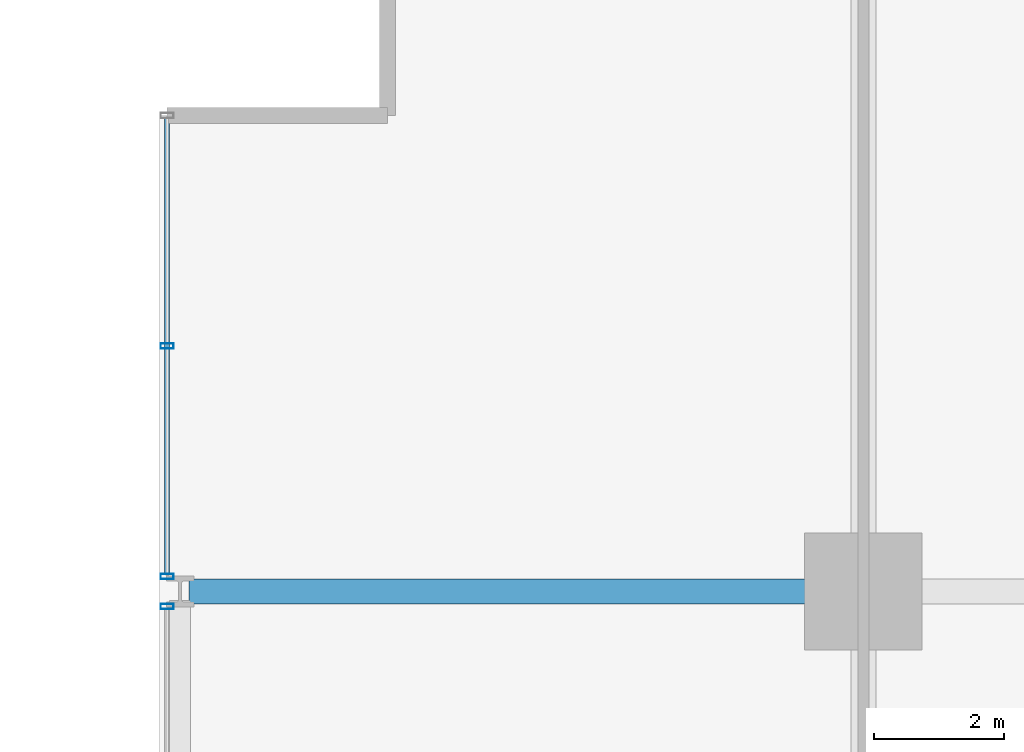
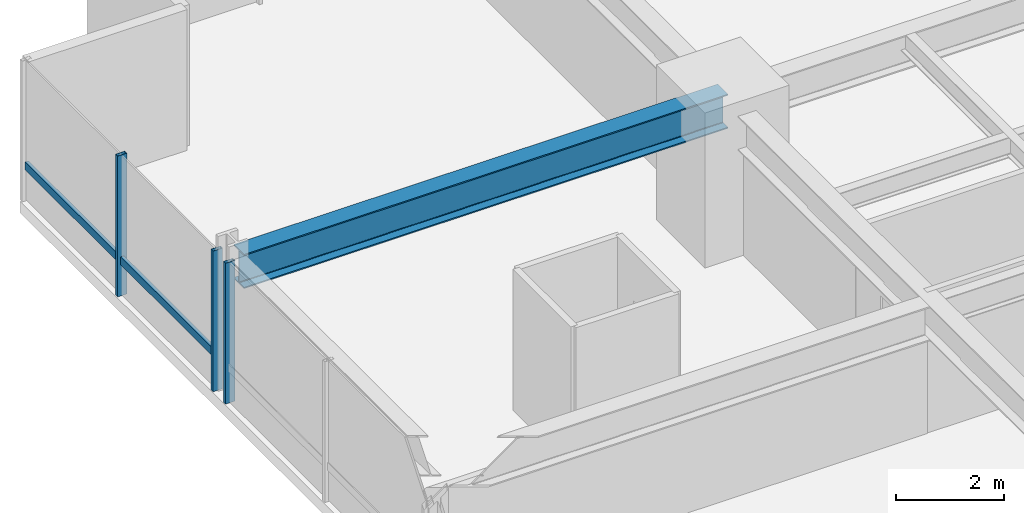
# One storey, part 19 of 37: 4 members, 1 beam, 2 elements without a shape of their own.
"""IFC4 building model written with IfcOpenShell, lengths in metres."""

import ifcopenshell
import ifcopenshell.guid

model = None  # the IFC model being written
_history = None  # IfcOwnerHistory: only IFC2X3 demands one
_inside = {}  # id of a spatial element -> (the spatial element, [elements in it])
_under = {}  # id of a project, library or spatial element -> (it, [spatial elements below it])
_declared = {}  # id of a project -> (the project, [libraries it declares])
_typed = {}  # id of a type object -> (the type object, [elements of that type])
_made_of = {}  # id of a material, layer set ... -> (it, [elements and type objects made of it])


def new_model(schema):
    """Start an empty IFC model of exactly this schema.

    Asked for "IFC4X3", IfcOpenShell would pick the latest addendum, in which some entities
    have other attributes; the version numbers below select the first issue.
    IFC2X3 requires an IfcOwnerHistory on every rooted entity: one is made here for all.
    """
    global model, _history
    if schema == "IFC4X3":
        model = ifcopenshell.file(schema_version=(4, 3, 0, 0))
    else:
        model = ifcopenshell.file(schema=schema)
    _inside.clear()
    _under.clear()
    _declared.clear()
    _typed.clear()
    _made_of.clear()
    _history = None
    if model.schema == "IFC2X3":
        org = make("IfcOrganization", Name="unknown")
        user = make(
            "IfcPersonAndOrganization",
            ThePerson=make("IfcPerson", FamilyName="unknown"),
            TheOrganization=org,
        )
        app = make(
            "IfcApplication",
            ApplicationDeveloper=org,
            Version="unknown",
            ApplicationFullName="unknown",
            ApplicationIdentifier="unknown",
        )
        _history = make(
            "IfcOwnerHistory",
            OwningUser=user,
            OwningApplication=app,
            ChangeAction="ADDED",
            CreationDate=0,
        )
    return model


def make(cls, **values):
    """One entity of the class cls with the attributes given. An attribute that is None is left unset."""
    return model.create_entity(
        cls, **{name: value for name, value in values.items() if value is not None}
    )


def rooted(cls, **values):
    """An entity with a GlobalId (a new one), such as an element, a storey or a relation."""
    return make(cls, GlobalId=ifcopenshell.guid.new(), OwnerHistory=_history, **values)


def si_unit(unit_type, name, prefix=None):
    """IfcSIUnit, for example si_unit("LENGTHUNIT", "METRE", prefix="MILLI")."""
    return make("IfcSIUnit", UnitType=unit_type, Prefix=prefix, Name=name)


def assignment(units):
    """IfcUnitAssignment: the units of a project."""
    return None if units is None else make("IfcUnitAssignment", Units=units)


def point(xyz):
    """IfcCartesianPoint."""
    return None if xyz is None else make("IfcCartesianPoint", Coordinates=xyz)


def direction(xyz):
    """IfcDirection."""
    return None if xyz is None else make("IfcDirection", DirectionRatios=xyz)


def frame(location, z_axis=None, x_axis=None):
    """IfcAxis2Placement3D, a coordinate frame: its origin and axes. An axis left out is left unset."""
    return make(
        "IfcAxis2Placement3D",
        Location=point(location),
        Axis=direction(z_axis),
        RefDirection=direction(x_axis),
    )


def frame_2d(location, x_axis=None):
    """IfcAxis2Placement2D, a coordinate frame in the plane: its origin and x axis."""
    return make(
        "IfcAxis2Placement2D", Location=point(location), RefDirection=direction(x_axis)
    )


def origin():
    """The frame at (0, 0, 0) with its axes left unset."""
    return frame((0.0, 0.0, 0.0))


def origin_2d():
    """The frame at (0, 0) in the plane with its x axis left unset."""
    return frame_2d((0.0, 0.0))


def place(relative_to, where):
    """IfcLocalPlacement: puts the frame where relative to a parent placement (None: the world)."""
    return make(
        "IfcLocalPlacement", PlacementRelTo=relative_to, RelativePlacement=where
    )


def context(
    kind, dimensions, precision=None, world=None, true_north=None, identifier=None
):
    """IfcGeometricRepresentationContext, for example the 3D "Model" context."""
    return make(
        "IfcGeometricRepresentationContext",
        ContextIdentifier=identifier,
        ContextType=kind,
        CoordinateSpaceDimension=dimensions,
        Precision=precision,
        WorldCoordinateSystem=world,
        TrueNorth=true_north,
    )


def subcontext(parent, identifier, kind, view, scale=None):
    """IfcGeometricRepresentationSubContext, for example "Body" below "Model"."""
    return make(
        "IfcGeometricRepresentationSubContext",
        ContextIdentifier=identifier,
        ContextType=kind,
        ParentContext=parent,
        TargetScale=scale,
        TargetView=view,
    )


def project(units=None, contexts=None):
    """IfcProject with its units and contexts."""
    return rooted(
        "IfcProject",
        Name="project",
        RepresentationContexts=contexts,
        UnitsInContext=assignment(units),
    )


def spatial(cls, under=None, at=None, **own):
    """A site, building, storey or space (cls), placed at a placement, below another one or the project."""
    s = rooted(cls, ObjectPlacement=at, **own)
    if under is not None:
        _under.setdefault(under.id(), (under, []))[1].append(s)
    return s


def profile(cls, at=None, kind="AREA", **sizes):
    """A parametric profile (cls). Its sizes go by their IFC names, for example OverallWidth=200.0."""
    return make(cls, ProfileType=kind, Position=at, **sizes)


def hollow_rectangle(**sizes):
    """IfcRectangleHollowProfileDef."""
    return profile("IfcRectangleHollowProfileDef", **sizes)


def i_section(**sizes):
    """IfcIShapeProfileDef."""
    return profile("IfcIShapeProfileDef", **sizes)


def extrude(swept, where, along, depth):
    """IfcExtrudedAreaSolid: the profile swept, set in the frame where, extruded along a direction by depth."""
    return make(
        "IfcExtrudedAreaSolid",
        SweptArea=swept,
        Position=where,
        ExtrudedDirection=direction(along),
        Depth=depth,
    )


def shape(context_of_items, identifier, shape_type, items):
    """IfcShapeRepresentation: the items that make up one representation, for example the "Body"."""
    return make(
        "IfcShapeRepresentation",
        ContextOfItems=context_of_items,
        RepresentationIdentifier=identifier,
        RepresentationType=shape_type,
        Items=items,
    )


def material(Name=None, Category=None):
    """IfcMaterial."""
    return make("IfcMaterial", Name=Name, Category=Category)


def layer(
    of_material, thickness, ventilated=None, Name=None, Category=None, Priority=None
):
    """IfcMaterialLayer: one layer of a wall or slab, of a material (None: an air gap)."""
    return make(
        "IfcMaterialLayer",
        Material=of_material,
        LayerThickness=thickness,
        IsVentilated=ventilated,
        Name=Name,
        Category=Category,
        Priority=Priority,
    )


def layer_set(layers, Name=None):
    """IfcMaterialLayerSet."""
    return make("IfcMaterialLayerSet", MaterialLayers=layers, LayerSetName=Name)


def material_profile(
    of_material, cross_section, Name=None, Category=None, Priority=None
):
    """IfcMaterialProfile: a cross section and its material."""
    return make(
        "IfcMaterialProfile",
        Name=Name,
        Material=of_material,
        Profile=cross_section,
        Priority=Priority,
        Category=Category,
    )


def profile_set(profiles, Name=None, composite=None):
    """IfcMaterialProfileSet."""
    return make(
        "IfcMaterialProfileSet",
        Name=Name,
        MaterialProfiles=profiles,
        CompositeProfile=composite,
    )


def made_of(thing, what):
    """Note that an element or type object is made of a material, layer set ...; save() writes the relation."""
    if what is not None:
        _made_of.setdefault(what.id(), (what, []))[1].append(thing)
    return thing


def type_object(cls, material=None, **own):
    """A type object (cls), such as IfcWallType, which elements share."""
    return made_of(rooted(cls, **own), material)


def element(
    cls,
    number,
    at=None,
    inside=None,
    cuts=None,
    type_object=None,
    material=None,
    context=None,
    identifier="Body",
    shape_type=None,
    held_by="IfcProductDefinitionShape",
    body=None,
    shapes=None,
    **own,
):
    """One element of the class cls, such as IfcWall. Its Tag is "e" and its number.

    at: its placement. inside: the storey or other place that contains it. cuts: it is an
    opening in that element (IfcRelVoidsElement). A single representation is given by context,
    identifier, shape_type and body (its items); several are given by shapes. held_by: the class
    of the entity that holds the representations. save() writes the other relations.
    """
    e = rooted(cls, Tag="e%d" % number, ObjectPlacement=at, **own)
    if body is not None:
        shapes = [shape(context, identifier, shape_type, body)]
    if shapes is not None:
        e.Representation = make(held_by, Representations=shapes)
    if inside is not None:
        _inside.setdefault(inside.id(), (inside, []))[1].append(e)
    if cuts is not None:
        rooted(
            "IfcRelVoidsElement", RelatingBuildingElement=cuts, RelatedOpeningElement=e
        )
    if type_object is not None:
        _typed.setdefault(type_object.id(), (type_object, []))[1].append(e)
    return made_of(e, material)


def aggregate(whole, parts):
    """IfcRelAggregates: a whole, such as a stair, and the parts it consists of."""
    return rooted("IfcRelAggregates", RelatingObject=whole, RelatedObjects=parts)


def save(model, path):
    """Write the relations noted so far, then the file.

    IfcRelAggregates (storeys below a building ...), IfcRelContainedInSpatialStructure (elements
    in a storey), IfcRelDefinesByType, IfcRelAssociatesMaterial and IfcRelDeclares: one each for
    every whole, place, type object, material and project.
    """
    for whole, parts in _under.values():
        aggregate(whole, parts)
    for where, things in _inside.values():
        rooted(
            "IfcRelContainedInSpatialStructure",
            RelatedElements=things,
            RelatingStructure=where,
        )
    for kind, things in _typed.values():
        rooted("IfcRelDefinesByType", RelatedObjects=things, RelatingType=kind)
    for what, things in _made_of.values():
        rooted("IfcRelAssociatesMaterial", RelatedObjects=things, RelatingMaterial=what)
    for by, libraries in _declared.values():
        rooted("IfcRelDeclares", RelatingContext=by, RelatedDefinitions=libraries)
    model.write(path)


model = new_model("IFC4")

# Units and contexts
model_context = context("Model", 3, precision=1e-05, world=origin(), true_north=direction((0.0, 1.0)))
body_context = subcontext(model_context, "Body", "Model", "MODEL_VIEW")
ifc_project = project(units=[si_unit("LENGTHUNIT", "METRE"), si_unit("AREAUNIT", "SQUARE_METRE"), si_unit("VOLUMEUNIT", "CUBIC_METRE"), si_unit("PLANEANGLEUNIT", "RADIAN"), si_unit("MASSUNIT", "GRAM", prefix="KILO")], contexts=[model_context])

# Site, building, storey
site_placement = place(None, origin())
site = spatial("IfcSite", under=ifc_project, at=site_placement, CompositionType="ELEMENT")
building_placement = place(site_placement, origin())
building = spatial("IfcBuilding", under=site, at=building_placement, Name="Drelvath Grand Hotel", CompositionType="ELEMENT")
storey_placement = place(building_placement, frame((0.0, 0.0, 78.699951171875)))
storey = spatial("IfcBuildingStorey", under=building, at=storey_placement, Name="L19", CompositionType="ELEMENT", Elevation=78.699951171875)

# Curtain wall, member
ifc_material_1 = material(Name="Warm Bronze Anodised Aluminium Frame", Category="aluminium")
ifc_layer = layer(ifc_material_1, 0.199951171875)
ifc_layer_set = layer_set([ifc_layer], Name="Warm Bronze Anodised Aluminium Frame")
curtain_wall_type = type_object("IfcCurtainWallType", Name="Stick Curtain Wall CW-02 Warm Bronze Low-Rise", PredefinedType="NOTDEFINED", material=ifc_layer_set)
curtain_wall_1_placement = place(storey_placement, origin())
curtain_wall_1 = element("IfcCurtainWall", 1, at=curtain_wall_1_placement, inside=storey, type_object=curtain_wall_type, Name="L19 CW-02 Curtain Wall CW02-L19-WN3", PredefinedType="NOTDEFINED")
ifc_material_profile_1 = material_profile(ifc_material_1, hollow_rectangle(XDim=0.074951171875, YDim=0.179931640625, WallThickness=0.0048828125, at=origin_2d()), Name="HSS180X75X5")
ifc_profile_set_1 = profile_set([ifc_material_profile_1], Name="Warm Bronze Anodised Aluminium Frame")
member_type_1 = type_object("IfcMemberType", Name="Curtain Wall Horizontal Transom CW-02 HSS180X75X5", PredefinedType="USERDEFINED", material=ifc_profile_set_1)
member_1_placement = place(storey_placement, frame((-26.8798828125, 43.468994140625, 0.795166015625), z_axis=(0.0, 1.0, 0.0), x_axis=(-1.0, 0.0, 0.0)))
member_1 = element("IfcMember", 2, at=member_1_placement, type_object=member_type_1, Name="CW02-L19-WN3 Sill Transom", ObjectType="TRANSOM", PredefinedType="USERDEFINED", context=body_context, shape_type="SweptSolid", body=[
    extrude(hollow_rectangle(XDim=0.074951171875, YDim=0.179931640625, WallThickness=0.0048828125, at=origin_2d()), origin(), (0.0, 0.0, 1.0), 6.990966796875),
])

curtain_wall_2_placement = place(storey_placement, origin())
curtain_wall_2 = element("IfcCurtainWall", 3, at=curtain_wall_2_placement, inside=storey, type_object=curtain_wall_type, Name="L19 CW-02 Curtain Wall CW02-L19-WN2", PredefinedType="NOTDEFINED")
ifc_material_profile_2 = material_profile(ifc_material_1, hollow_rectangle(XDim=0.080078125, YDim=0.199951171875, WallThickness=0.0048828125, at=origin_2d()), Name="HSS200X80X5")
ifc_profile_set_2 = profile_set([ifc_material_profile_2], Name="Warm Bronze Anodised Aluminium Frame")
member_type_2 = type_object("IfcMemberType", Name="Curtain Wall Vertical Mullion CW-02 HSS200X80X5", PredefinedType="MULLION", material=ifc_profile_set_2)
member_2_placement = place(storey_placement, frame((-26.8798828125, 42.970947265625, 0.0), z_axis=(0.0, 0.0, 1.0), x_axis=(0.0, 1.0, 0.0)))
member_2 = element("IfcMember", 4, at=member_2_placement, type_object=member_type_2, Name="CW02-L19-WN2 Mullion 3", PredefinedType="MULLION", context=body_context, shape_type="SweptSolid", body=[
    extrude(hollow_rectangle(XDim=0.080078125, YDim=0.199951171875, WallThickness=0.0048828125, at=origin_2d()), origin(), (0.0, 0.0, 1.0), 3.179931640625),
])
aggregate(curtain_wall_2, [member_2])

# Member
member_3_placement = place(storey_placement, frame((-26.8798828125, 43.42919921875, 0.0), z_axis=(0.0, 0.0, 1.0), x_axis=(0.0, 1.0, 0.0)))
member_3 = element("IfcMember", 5, at=member_3_placement, type_object=member_type_2, Name="CW02-L19-WN3 Mullion 1", PredefinedType="MULLION", context=body_context, shape_type="SweptSolid", body=[
    extrude(hollow_rectangle(XDim=0.080078125, YDim=0.199951171875, WallThickness=0.0048828125, at=origin_2d()), origin(), (0.0, 0.0, 1.0), 3.179931640625),
])

member_4_placement = place(storey_placement, frame((-26.8798828125, 46.964599609375, 0.0), z_axis=(0.0, 0.0, 1.0), x_axis=(0.0, 1.0, 0.0)))
member_4 = element("IfcMember", 6, at=member_4_placement, type_object=member_type_2, Name="CW02-L19-WN3 Mullion 2", PredefinedType="MULLION", context=body_context, shape_type="SweptSolid", body=[
    extrude(hollow_rectangle(XDim=0.080078125, YDim=0.199951171875, WallThickness=0.0048828125, at=origin_2d()), origin(), (0.0, 0.0, 1.0), 3.179931640625),
])

aggregate(curtain_wall_1, [member_3, member_4, member_1])

# Beam
ifc_material_2 = material(Name="Steel ASTM A992 Gr 50", Category="steel")
ifc_material_profile_3 = material_profile(ifc_material_2, i_section(OverallWidth=0.380615234375, OverallDepth=0.773193359375, WebThickness=0.0166015625, FlangeThickness=0.027099609375, FilletRadius=0.02490234375, at=origin_2d()), Name="W30X173")
ifc_profile_set_3 = profile_set([ifc_material_profile_3], Name="Steel ASTM A992 Gr 50")
beam_type = type_object("IfcBeamType", Name="Primary Floor Girder W30X173", PredefinedType="BEAM", material=ifc_profile_set_3)
beam_placement = place(storey_placement, frame((-26.5400390625, 43.199951171875, 2.79345703125), z_axis=(1.0, 0.0, 0.0), x_axis=(0.0, 1.0, 0.0)))
element("IfcBeam", 7, at=beam_placement, inside=storey, type_object=beam_type, Name="L19 West Grid Girder G", PredefinedType="BEAM", context=body_context, shape_type="SweptSolid", body=[
    extrude(i_section(OverallWidth=0.380615234375, OverallDepth=0.773193359375, WebThickness=0.0166015625, FlangeThickness=0.027099609375, FilletRadius=0.02490234375, at=origin_2d()), origin(), (0.0, 0.0, 1.0), 10.340087890625),
])

save(model, "model.ifc")
